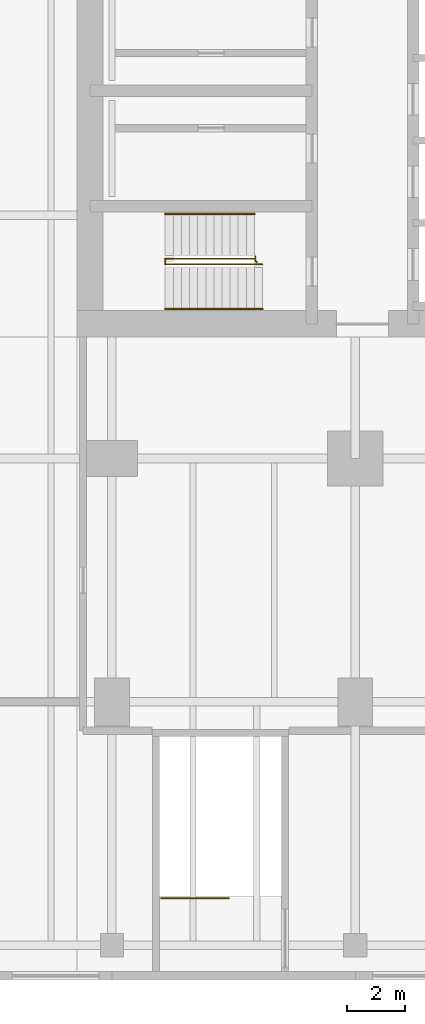
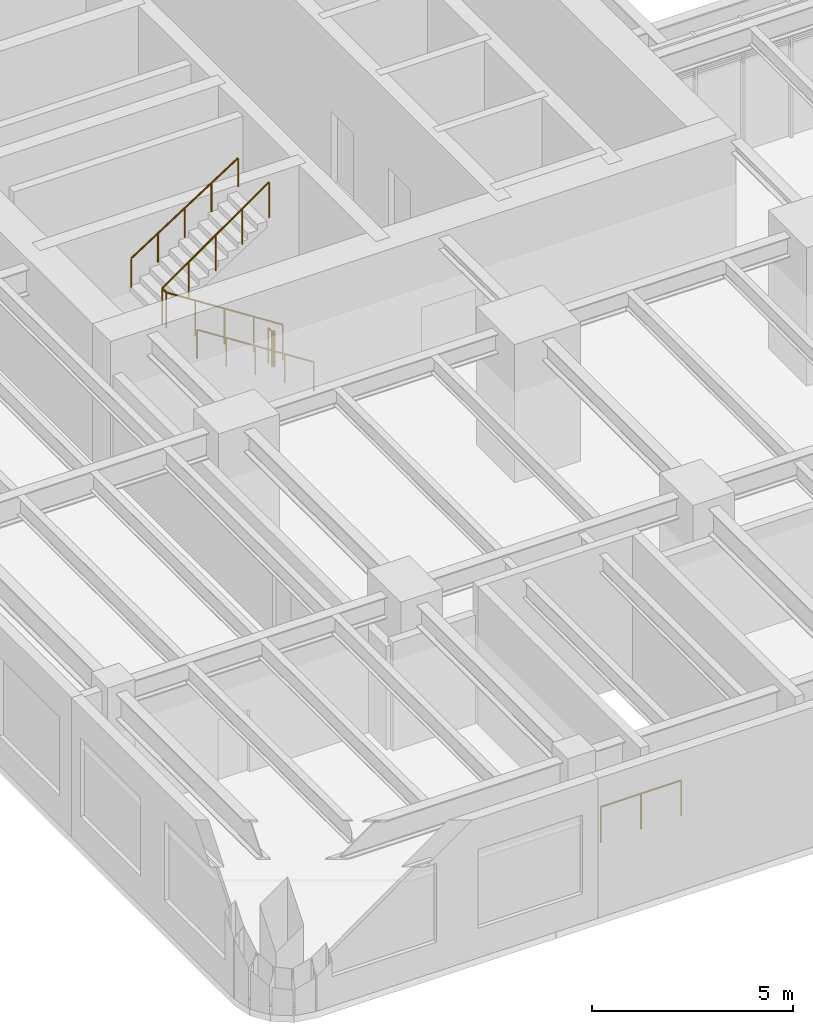
# One storey, part 16 of 22: 5 railings.
"""IFC4 building model written with IfcOpenShell, lengths in metres."""

from ifc_helpers import new_model, si_unit, direction, frame, origin, origin_2d, place, context, subcontext, project, spatial, circle, extrude, material, type_object, element, save


model = new_model("IFC4")

# Units and contexts
model_context = context("Model", 3, precision=1e-05, world=origin(), true_north=direction((0.0, 1.0)))
body_context = subcontext(model_context, "Body", "Model", "MODEL_VIEW")
ifc_project = project(units=[si_unit("LENGTHUNIT", "METRE"), si_unit("AREAUNIT", "SQUARE_METRE"), si_unit("VOLUMEUNIT", "CUBIC_METRE"), si_unit("PLANEANGLEUNIT", "RADIAN"), si_unit("MASSUNIT", "GRAM", prefix="KILO")], contexts=[model_context])

# Site, building, storey
site_placement = place(None, origin())
site = spatial("IfcSite", under=ifc_project, at=site_placement, CompositionType="ELEMENT")
building_placement = place(site_placement, origin())
building = spatial("IfcBuilding", under=site, at=building_placement, Name="Claustro Exchange Tower", CompositionType="ELEMENT")
storey_placement = place(building_placement, frame((0.0, 0.0, 14.39990234375)))
storey = spatial("IfcBuildingStorey", under=building, at=storey_placement, Name="L03", CompositionType="ELEMENT", Elevation=14.39990234375)

# Railings
ifc_material_1 = material(Name="Steel balustrade, painted", Category="steel")
railing_type_1 = type_object("IfcRailingType", Name="GR2 1100 steel stair guard", PredefinedType="GUARDRAIL", material=ifc_material_1)
railing_1_placement = place(storey_placement, frame((5.199951171875, 15.10009765625, 0.18017578125)))
element("IfcRailing", 1, at=railing_1_placement, inside=storey, type_object=railing_type_1, Name="Stair well guard GR2 stair STWA L03", PredefinedType="GUARDRAIL", context=body_context, shape_type="SweptSolid", body=[
    extrude(circle(Radius=0.02392578125, at=origin_2d()), frame((0.0, 0.0, 1.076171875), z_axis=(-0.841178475377, 0.0, 0.540757591313), x_axis=(0.0, -1.0, 0.0)), (0.0, 0.0, 1.0), 3.994140625),
    extrude(circle(Radius=0.02392578125, at=origin_2d()), frame((-3.35986328125, 0.0, 3.23583984375), z_axis=(0.0, 1.0, 0.0), x_axis=(-1.0, 0.0, 0.0)), (0.0, 0.0, 1.0), 0.199951171875),
    extrude(circle(Radius=0.02392578125, at=origin_2d()), frame((-3.35986328125, 0.199951171875, 3.23583984375), z_axis=(0.818728512145, 0.0, 0.574180828137), x_axis=(0.0, 1.0, 0.0)), (0.0, 0.0, 1.0), 3.76171875),
    extrude(circle(Radius=0.02099609375, at=origin_2d()), origin(), (0.0, 0.0, 1.0), 1.052001953125),
    extrude(circle(Radius=0.02099609375, at=origin_2d()), frame((-0.83984375, 0.0, 0.5400390625)), (0.0, 0.0, 1.0), 1.052001953125),
    extrude(circle(Radius=0.02099609375, at=origin_2d()), frame((-1.679931640625, 0.0, 1.080078125)), (0.0, 0.0, 1.0), 1.052001953125),
    extrude(circle(Radius=0.02099609375, at=origin_2d()), frame((-2.52001953125, 0.0, 1.619873046875)), (0.0, 0.0, 1.0), 1.052001953125),
    extrude(circle(Radius=0.02099609375, at=origin_2d()), frame((-3.35986328125, 0.0, 2.159912109375)), (0.0, 0.0, 1.0), 1.052001953125),
    extrude(circle(Radius=0.02099609375, at=origin_2d()), frame((-3.35986328125, 0.199951171875, 2.159912109375)), (0.0, 0.0, 1.0), 1.052001953125),
    extrude(circle(Radius=0.02099609375, at=origin_2d()), frame((-2.58984375, 0.199951171875, 2.699951171875)), (0.0, 0.0, 1.0), 1.052001953125),
    extrude(circle(Radius=0.02099609375, at=origin_2d()), frame((-1.81982421875, 0.199951171875, 3.23974609375)), (0.0, 0.0, 1.0), 1.052001953125),
    extrude(circle(Radius=0.02099609375, at=origin_2d()), frame((-1.050048828125, 0.199951171875, 3.77978515625)), (0.0, 0.0, 1.0), 1.052001953125),
    extrude(circle(Radius=0.02099609375, at=origin_2d()), frame((-0.280029296875, 0.199951171875, 4.31982421875)), (0.0, 0.0, 1.0), 1.052001953125),
])
railing_2_placement = place(storey_placement, frame((5.0, 15.169921875, 0.0)))
element("IfcRailing", 2, at=railing_2_placement, inside=storey, type_object=railing_type_1, Name="Stair guard GR2 STWA L03", PredefinedType="GUARDRAIL", context=body_context, shape_type="SweptSolid", body=[
    extrude(circle(Radius=0.02392578125, at=origin_2d()), frame((0.0, 0.0, 1.076171875), z_axis=(0.0, 1.0, 0.0), x_axis=(-1.0, 0.0, 0.0)), (0.0, 0.0, 1.0), 0.030029296875),
    extrude(circle(Radius=0.02392578125, at=origin_2d()), frame((0.0, 0.030029296875, 1.076171875), z_axis=(-1.0, 0.0, 0.0), x_axis=(0.0, -1.0, 0.0)), (0.0, 0.0, 1.0), 0.054931640625),
    extrude(circle(Radius=0.02392578125, at=origin_2d()), frame((-0.054931640625, 0.030029296875, 1.076171875), z_axis=(0.0, 1.0, 0.0), x_axis=(-1.0, 0.0, 0.0)), (0.0, 0.0, 1.0), 0.179931640625),
    extrude(circle(Radius=0.02099609375, at=origin_2d()), origin(), (0.0, 0.0, 1.0), 1.052001953125),
    extrude(circle(Radius=0.02099609375, at=origin_2d()), frame((0.0, 0.030029296875, 0.0)), (0.0, 0.0, 1.0), 1.052001953125),
    extrude(circle(Radius=0.02099609375, at=origin_2d()), frame((-0.054931640625, 0.030029296875, 0.0)), (0.0, 0.0, 1.0), 1.052001953125),
    extrude(circle(Radius=0.02099609375, at=origin_2d()), frame((-0.054931640625, 0.2099609375, 0.0)), (0.0, 0.0, 1.0), 1.052001953125),
])
railing_3_placement = place(storey_placement, frame((1.7099609375, -6.780029296875, 0.0)))
element("IfcRailing", 3, at=railing_3_placement, inside=storey, type_object=railing_type_1, Name="Stair guard GR2 STP1 L03", PredefinedType="GUARDRAIL", context=body_context, shape_type="SweptSolid", body=[
    extrude(circle(Radius=0.02392578125, at=origin_2d()), frame((0.0, 0.0, 1.076171875), z_axis=(1.0, 0.0, 0.0), x_axis=(0.0, 1.0, 0.0)), (0.0, 0.0, 1.0), 2.320068359375),
    extrude(circle(Radius=0.02099609375, at=origin_2d()), origin(), (0.0, 0.0, 1.0), 1.052001953125),
    extrude(circle(Radius=0.02099609375, at=origin_2d()), frame((1.16015625, 0.0, 0.0)), (0.0, 0.0, 1.0), 1.052001953125),
    extrude(circle(Radius=0.02099609375, at=origin_2d()), frame((2.320068359375, 0.0, 0.0)), (0.0, 0.0, 1.0), 1.052001953125),
])
ifc_material_2 = material(Name="Stainless steel tube", Category="steel")
railing_type_2 = type_object("IfcRailingType", Name="HR1 900 stair handrail", PredefinedType="HANDRAIL", material=ifc_material_2)
railing_4_placement = place(storey_placement, frame((5.199951171875, 13.56005859375, 0.18017578125)))
element("IfcRailing", 4, at=railing_4_placement, inside=storey, type_object=railing_type_2, Name="Handrail HR1 stair STWA L03", PredefinedType="HANDRAIL", context=body_context, shape_type="SweptSolid", body=[
    extrude(circle(Radius=0.02392578125, at=origin_2d()), frame((0.0, 0.0, 0.8759765625), z_axis=(-0.841178475377, 0.0, 0.540757591313), x_axis=(0.0, -1.0, 0.0)), (0.0, 0.0, 1.0), 3.994140625),
    extrude(circle(Radius=0.02099609375, at=origin_2d()), origin(), (0.0, 0.0, 1.0), 0.851806640625),
    extrude(circle(Radius=0.02099609375, at=origin_2d()), frame((-0.83984375, 0.0, 0.5400390625)), (0.0, 0.0, 1.0), 0.851806640625),
    extrude(circle(Radius=0.02099609375, at=origin_2d()), frame((-1.679931640625, 0.0, 1.080078125)), (0.0, 0.0, 1.0), 0.851806640625),
    extrude(circle(Radius=0.02099609375, at=origin_2d()), frame((-2.52001953125, 0.0, 1.619873046875)), (0.0, 0.0, 1.0), 0.851806640625),
    extrude(circle(Radius=0.02099609375, at=origin_2d()), frame((-3.35986328125, 0.0, 2.159912109375)), (0.0, 0.0, 1.0), 0.851806640625),
])
railing_5_placement = place(storey_placement, frame((1.840087890625, 16.840087890625, 2.52001953125)))
element("IfcRailing", 5, at=railing_5_placement, inside=storey, type_object=railing_type_2, Name="Handrail HR1 stair STWA L03", PredefinedType="HANDRAIL", context=body_context, shape_type="SweptSolid", body=[
    extrude(circle(Radius=0.02392578125, at=origin_2d()), frame((0.0, 0.0, 0.8759765625), z_axis=(0.841167642724, 0.0, 0.540774441735), x_axis=(0.0, 1.0, 0.0)), (0.0, 0.0, 1.0), 3.661376953125),
    extrude(circle(Radius=0.02099609375, at=origin_2d()), origin(), (0.0, 0.0, 1.0), 0.851806640625),
    extrude(circle(Radius=0.02099609375, at=origin_2d()), frame((0.77001953125, 0.0, 0.4951171875)), (0.0, 0.0, 1.0), 0.851806640625),
    extrude(circle(Radius=0.02099609375, at=origin_2d()), frame((1.5400390625, 0.0, 0.989990234375)), (0.0, 0.0, 1.0), 0.851806640625),
    extrude(circle(Radius=0.02099609375, at=origin_2d()), frame((2.309814453125, 0.0, 1.48486328125)), (0.0, 0.0, 1.0), 0.851806640625),
    extrude(circle(Radius=0.02099609375, at=origin_2d()), frame((3.079833984375, 0.0, 1.97998046875)), (0.0, 0.0, 1.0), 0.851806640625),
])

save(model, "model.ifc")
